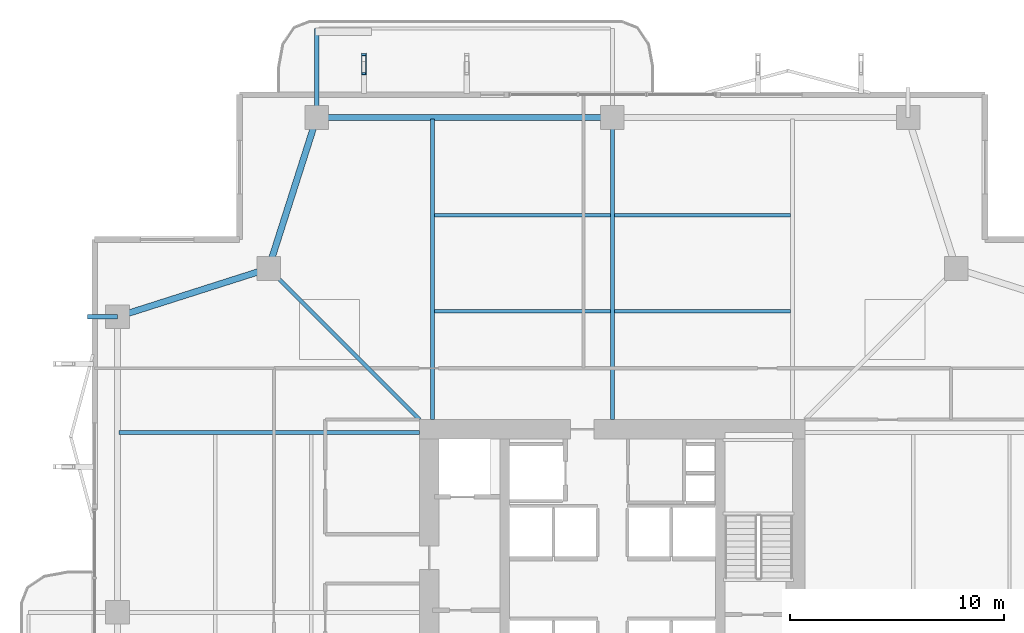
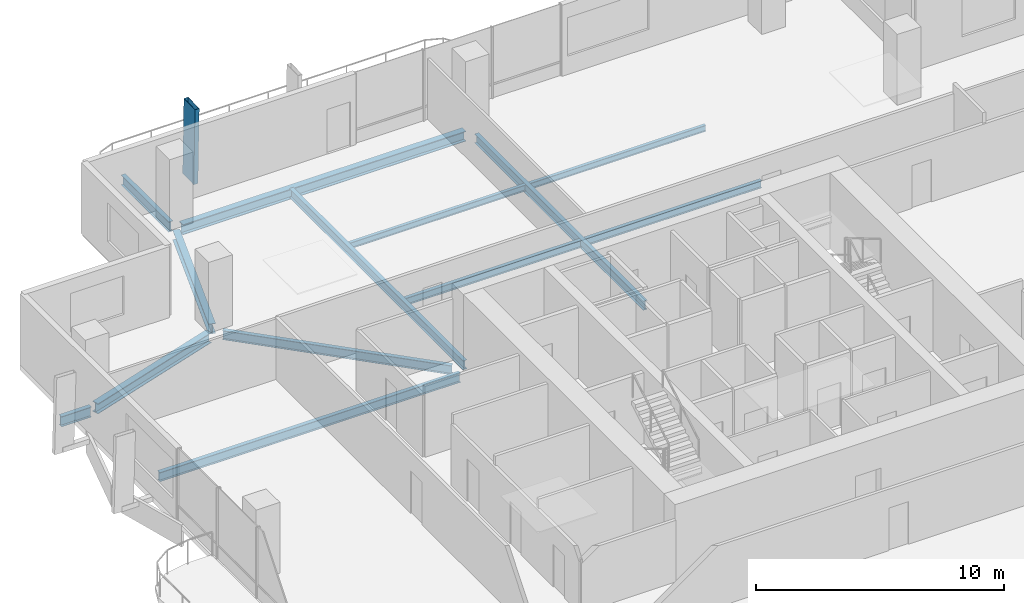
# One storey, part 12 of 23: 13 beams, 1 member.
"""IFC4 building model written with IfcOpenShell, lengths in metres."""

from ifc_helpers import new_model, si_unit, direction, frame, origin, origin_2d, place, context, subcontext, project, spatial, hollow_rectangle, i_section, extrude, material, material_profile, profile_set, type_object, element, save


model = new_model("IFC4")

# Units and contexts
model_context = context("Model", 3, precision=1e-05, world=origin(), true_north=direction((0.0, 1.0)))
body_context = subcontext(model_context, "Body", "Model", "MODEL_VIEW")
ifc_project = project(units=[si_unit("LENGTHUNIT", "METRE"), si_unit("AREAUNIT", "SQUARE_METRE"), si_unit("VOLUMEUNIT", "CUBIC_METRE"), si_unit("PLANEANGLEUNIT", "RADIAN"), si_unit("MASSUNIT", "GRAM", prefix="KILO")], contexts=[model_context])

# Site, building, storey
site_placement = place(None, origin())
site = spatial("IfcSite", under=ifc_project, at=site_placement, CompositionType="ELEMENT")
building_placement = place(site_placement, origin())
building = spatial("IfcBuilding", under=site, at=building_placement, Name="Belovzor Exchange Tower", CompositionType="ELEMENT")
storey_placement = place(building_placement, frame((0.0, 0.0, 157.050048828125)))
storey = spatial("IfcBuildingStorey", under=building, at=storey_placement, Name="L38", CompositionType="ELEMENT", Elevation=157.050048828125)

# Beams
ifc_material_1 = material(Name="Steel S355", Category="steel")
ifc_material_profile_1 = material_profile(ifc_material_1, i_section(OverallWidth=0.199951171875, OverallDepth=0.5, WebThickness=0.01025390625, FlangeThickness=0.01611328125, at=origin_2d()))
ifc_profile_set_1 = profile_set([ifc_material_profile_1], Name="Steel S355")
beam_type_1 = type_object("IfcBeamType", Name="Planted Balcony Cantilever Beam IPE 500", PredefinedType="BEAM", material=ifc_profile_set_1)
beam_1_placement = place(storey_placement, frame((15.0, 52.202880859375, -0.505126953125), z_axis=(0.0, 1.0, 0.0), x_axis=(-1.0, 0.0, 0.0)))
element("IfcBeam", 1, at=beam_1_placement, inside=storey, type_object=beam_type_1, Name="BC-500 Planted Balcony Cantilever Beam IPE 500", PredefinedType="BEAM", context=body_context, shape_type="SweptSolid", body=[
    extrude(i_section(OverallWidth=0.199951171875, OverallDepth=0.5, WebThickness=0.01025390625, FlangeThickness=0.01611328125, at=origin_2d()), origin(), (0.0, 0.0, 1.0), 3.85009765625),
])
beam_2_placement = place(storey_placement, frame((5.699951171875, 42.60009765625, -0.505126953125), z_axis=(-1.0, 0.0, 0.0), x_axis=(0.0, -1.0, 0.0)))
element("IfcBeam", 2, at=beam_2_placement, inside=storey, type_object=beam_type_1, Name="BC-500 Planted Balcony Cantilever Beam IPE 500", PredefinedType="BEAM", context=body_context, shape_type="SweptSolid", body=[
    extrude(i_section(OverallWidth=0.199951171875, OverallDepth=0.5, WebThickness=0.01025390625, FlangeThickness=0.01611328125, at=origin_2d()), origin(), (0.0, 0.0, 1.0), 1.39990234375),
])
ifc_material_2 = material(Name="Steel S355", Category="steel")
ifc_material_profile_2 = material_profile(ifc_material_2, i_section(OverallWidth=0.169921875, OverallDepth=0.360107421875, WebThickness=0.008056640625, FlangeThickness=0.0126953125, at=origin_2d()))
ifc_profile_set_2 = profile_set([ifc_material_profile_2], Name="Steel S355")
beam_type_2 = type_object("IfcBeamType", Name="Secondary Infill Floor Joist IPE 360", PredefinedType="BEAM", material=ifc_profile_set_2)
for number, where, z_axis, x_axis, name in (
    (3, (20.4951171875, 42.84912109375, -0.43505859375), (1.0, 0.0, 0.0), (0.0, 1.0, 0.0), "FJ-360 Secondary Infill Floor Joist IPE 360"),
    (4, (28.89501953125, 42.84912109375, -0.43505859375), (1.0, 0.0, 0.0), (0.0, 1.0, 0.0), "FJ-360 Secondary Infill Floor Joist IPE 360"),
):
    element("IfcBeam", number, at=place(storey_placement, frame(where, z_axis=z_axis, x_axis=x_axis)), inside=storey, type_object=beam_type_2, Name=name, PredefinedType="BEAM", context=body_context, shape_type="SweptSolid", body=[
        extrude(i_section(OverallWidth=0.169921875, OverallDepth=0.360107421875, WebThickness=0.008056640625, FlangeThickness=0.0126953125, at=origin_2d()), origin(), (0.0, 0.0, 1.0), 8.2099609375),
    ])
ifc_material_3 = material(Name="Steel S355", Category="steel")
ifc_material_profile_3 = material_profile(ifc_material_3, i_section(OverallWidth=0.14990234375, OverallDepth=0.300048828125, WebThickness=0.007080078125, FlangeThickness=0.0107421875, at=origin_2d()))
ifc_profile_set_3 = profile_set([ifc_material_profile_3], Name="Steel S355")
beam_type_3 = type_object("IfcBeamType", Name="Secondary Trim Floor Joist IPE 300", PredefinedType="BEAM", material=ifc_profile_set_3)
for number, where, z_axis, x_axis, name in (
    (5, (20.4951171875, 47.3369140625, -0.405029296875), (1.0, 0.0, 0.0), (0.0, 1.0, 0.0), "FJ-300 Secondary Trim Floor Joist IPE 300"),
    (6, (28.89501953125, 47.3369140625, -0.405029296875), (1.0, 0.0, 0.0), (0.0, 1.0, 0.0), "FJ-300 Secondary Trim Floor Joist IPE 300"),
):
    element("IfcBeam", number, at=place(storey_placement, frame(where, z_axis=z_axis, x_axis=x_axis)), inside=storey, type_object=beam_type_3, Name=name, PredefinedType="BEAM", context=body_context, shape_type="SweptSolid", body=[
        extrude(i_section(OverallWidth=0.14990234375, OverallDepth=0.300048828125, WebThickness=0.007080078125, FlangeThickness=0.0107421875, at=origin_2d()), origin(), (0.0, 0.0, 1.0), 8.2099609375),
    ])

# Member
ifc_material_4 = material(Name="Extruded Architectural Terracotta on Steel S355 Carrier", Category="masonry")
ifc_material_profile_4 = material_profile(ifc_material_4, hollow_rectangle(XDim=0.199951171875, YDim=0.89990234375, WallThickness=0.011962890625, at=origin_2d()))
ifc_profile_set_4 = profile_set([ifc_material_profile_4], Name="Extruded Architectural Terracotta on Steel S355 Carrier")
member_type = type_object("IfcMemberType", Name="Sweeping Terracotta Baguette Fin Assembly 1250", PredefinedType="USERDEFINED", material=ifc_profile_set_4)
member_placement = place(storey_placement, frame((17.199951171875, 54.443115234375, -0.255126953125), z_axis=(0.0, -0.027203470401, 0.999629917118), x_axis=(1.0, 0.0, 0.0)))
element("IfcMember", 7, at=member_placement, inside=storey, type_object=member_type, Name="FIN-TC125 Terracotta Facade Fin L38 N1", ObjectType="FIN", PredefinedType="USERDEFINED", context=body_context, shape_type="SweptSolid", body=[
    extrude(hollow_rectangle(XDim=0.199951171875, YDim=0.89990234375, WallThickness=0.011962890625, at=origin_2d()), origin(), (0.0, 0.0, 1.0), 3.75146484375),
])

# Beams
ifc_material_5 = material(Name="Steel S355", Category="steel")
ifc_material_profile_5 = material_profile(ifc_material_5, i_section(OverallWidth=0.18994140625, OverallDepth=0.449951171875, WebThickness=0.009521484375, FlangeThickness=0.0146484375, at=origin_2d()))
ifc_profile_set_5 = profile_set([ifc_material_profile_5], Name="Steel S355")
beam_type_4 = type_object("IfcBeamType", Name="Zone 2-4 Radial Composite Floor Beam IPE 450", PredefinedType="BEAM", material=ifc_profile_set_5)
beam_3_placement = place(storey_placement, frame((20.39990234375, 37.800048828125, -0.47998046875), z_axis=(0.0, 1.0, 0.0), x_axis=(-1.0, 0.0, 0.0)))
element("IfcBeam", 8, at=beam_3_placement, inside=storey, type_object=beam_type_4, Name="FB-450 Zone 2-4 Radial Composite Floor Beam IPE 450", PredefinedType="BEAM", context=body_context, shape_type="SweptSolid", body=[
    extrude(i_section(OverallWidth=0.18994140625, OverallDepth=0.449951171875, WebThickness=0.009521484375, FlangeThickness=0.0146484375, at=origin_2d()), origin(), (0.0, 0.0, 1.0), 14.02490234375),
])
beam_4_placement = place(storey_placement, frame((28.800048828125, 37.800048828125, -0.47998046875), z_axis=(0.0, 1.0, 0.0), x_axis=(-1.0, 0.0, 0.0)))
element("IfcBeam", 9, at=beam_4_placement, inside=storey, type_object=beam_type_4, Name="FB-450 Zone 2-4 Radial Composite Floor Beam IPE 450", PredefinedType="BEAM", context=body_context, shape_type="SweptSolid", body=[
    extrude(i_section(OverallWidth=0.18994140625, OverallDepth=0.449951171875, WebThickness=0.009521484375, FlangeThickness=0.0146484375, at=origin_2d()), origin(), (0.0, 0.0, 1.0), 13.615966796875),
])
beam_5_placement = place(storey_placement, frame((19.800048828125, 37.199951171875, -0.47998046875), z_axis=(-1.0, 0.0, 0.0), x_axis=(0.0, -1.0, 0.0)))
element("IfcBeam", 10, at=beam_5_placement, inside=storey, type_object=beam_type_4, Name="FB-450 Zone 2-4 Radial Composite Floor Beam IPE 450", PredefinedType="BEAM", context=body_context, shape_type="SweptSolid", body=[
    extrude(i_section(OverallWidth=0.18994140625, OverallDepth=0.449951171875, WebThickness=0.009521484375, FlangeThickness=0.0146484375, at=origin_2d()), origin(), (0.0, 0.0, 1.0), 14.025146484375),
])
beam_6_placement = place(storey_placement, frame((19.800048828125, 37.800048828125, -0.47998046875), z_axis=(-0.707119521505, 0.707094040639, 0.0), x_axis=(-0.707094040639, -0.707119521505, 0.0)))
element("IfcBeam", 11, at=beam_6_placement, inside=storey, type_object=beam_type_4, Name="FB-450 Zone 2-4 Radial Composite Floor Beam IPE 450", PredefinedType="BEAM", context=body_context, shape_type="SweptSolid", body=[
    extrude(i_section(OverallWidth=0.18994140625, OverallDepth=0.449951171875, WebThickness=0.009521484375, FlangeThickness=0.0146484375, at=origin_2d()), origin(), (0.0, 0.0, 1.0), 9.581298828125),
])
ifc_material_6 = material(Name="Steel S355", Category="steel")
ifc_material_profile_6 = material_profile(ifc_material_6, i_section(OverallWidth=0.300048828125, OverallDepth=0.5, WebThickness=0.014404296875, FlangeThickness=0.028076171875, at=origin_2d()))
ifc_profile_set_6 = profile_set([ifc_material_profile_6], Name="Steel S355")
beam_type_5 = type_object("IfcBeamType", Name="Zone 3 Waist Primary Girder HEB 500", PredefinedType="BEAM", material=ifc_profile_set_6)
beam_7_placement = place(storey_placement, frame((28.498046875, 51.89990234375, -0.505126953125), z_axis=(-1.0, 0.0, 0.0), x_axis=(0.0, -1.0, 0.0)))
element("IfcBeam", 12, at=beam_7_placement, inside=storey, type_object=beam_type_5, Name="FG-Z3 Zone 3 Waist Primary Girder HEB 500", PredefinedType="BEAM", context=body_context, shape_type="SweptSolid", body=[
    extrude(i_section(OverallWidth=0.300048828125, OverallDepth=0.5, WebThickness=0.014404296875, FlangeThickness=0.028076171875, at=origin_2d()), origin(), (0.0, 0.0, 1.0), 13.195068359375),
])
for number, where, z_axis, x_axis, name in (
    (13, (14.907958984375, 51.612060546875, -0.505126953125), (-0.304001325621, -0.952671608699, 0.0), (0.952671608699, -0.304001325621, 0.0), "FG-Z3 Zone 3 Waist Primary Girder HEB 500"),
    (14, (12.4619140625, 44.758056640625, -0.505126953125), (-0.952657882792, -0.304044336164, 0.0), (0.304044336164, -0.952657882792, 0.0), "FG-Z3 Zone 3 Waist Primary Girder HEB 500"),
):
    element("IfcBeam", number, at=place(storey_placement, frame(where, z_axis=z_axis, x_axis=x_axis)), inside=storey, type_object=beam_type_5, Name=name, PredefinedType="BEAM", context=body_context, shape_type="SweptSolid", body=[
        extrude(i_section(OverallWidth=0.300048828125, OverallDepth=0.5, WebThickness=0.014404296875, FlangeThickness=0.028076171875, at=origin_2d()), origin(), (0.0, 0.0, 1.0), 6.795654296875),
    ])

save(model, "model.ifc")
